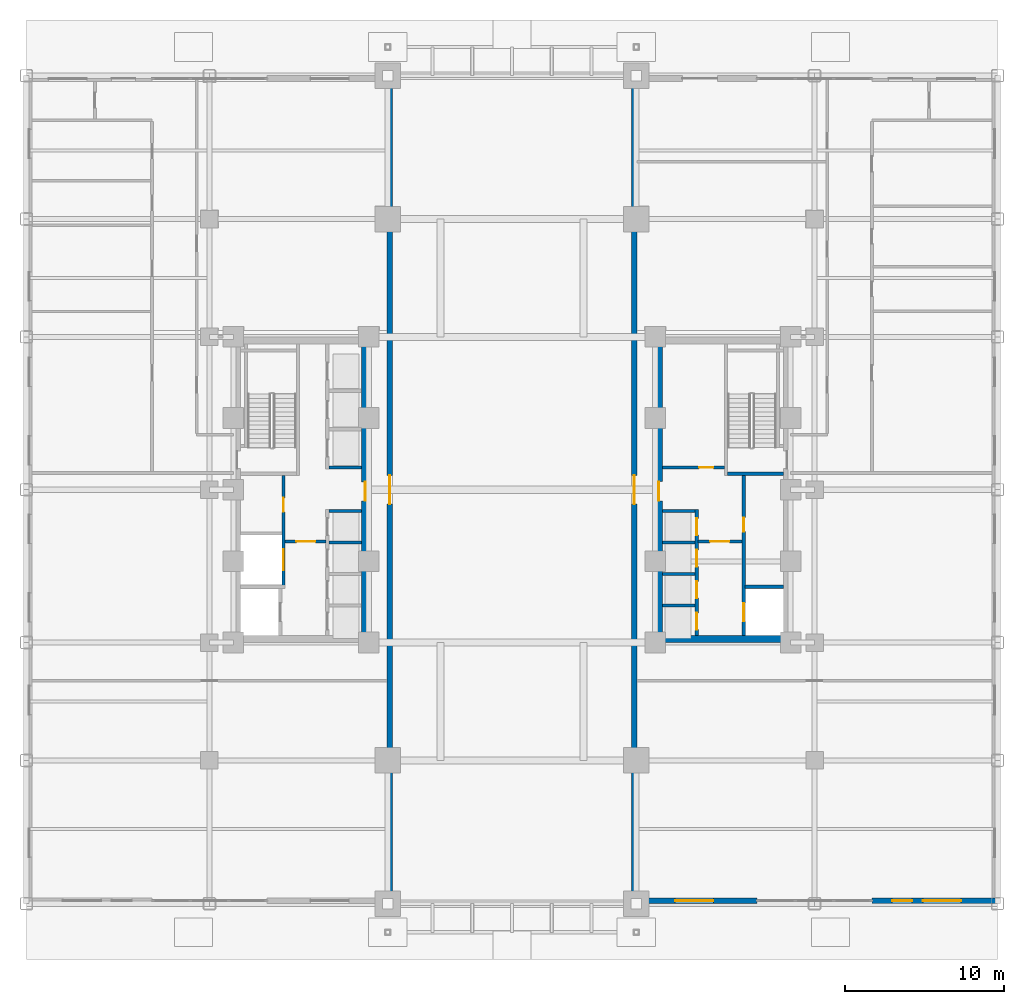
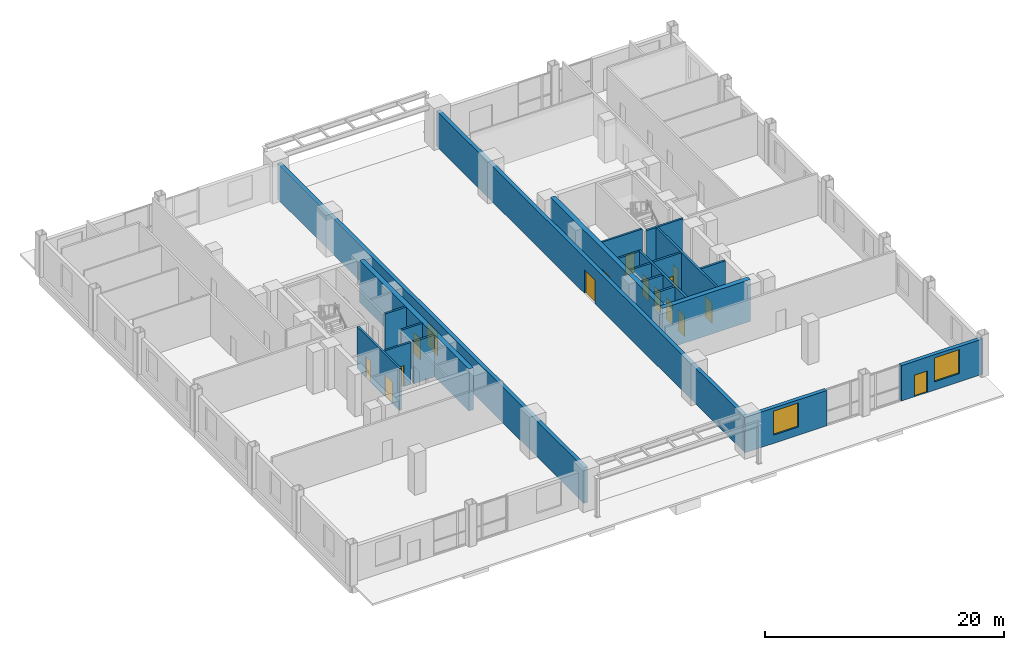
# One storey, part 9 of 20: 22 walls, 16 doors, 2 windows, 18 openings.
"""IFC4 building model written with IfcOpenShell, lengths in metres."""

from ifc_helpers import new_model, si_unit, direction, frame, frame_2d, origin, place, context, subcontext, project, spatial, rectangle, extrude, source, transform, mapped, material, layer, layer_set, type_object, type_shapes, element, fill, save


model = new_model("IFC4")

# Units and contexts
model_context = context("Model", 3, precision=1e-05, world=origin(), true_north=direction((0.0, 1.0)))
body_context = subcontext(model_context, "Body", "Model", "MODEL_VIEW")
ifc_project = project(units=[si_unit("LENGTHUNIT", "METRE"), si_unit("AREAUNIT", "SQUARE_METRE"), si_unit("VOLUMEUNIT", "CUBIC_METRE"), si_unit("PLANEANGLEUNIT", "RADIAN"), si_unit("MASSUNIT", "GRAM", prefix="KILO")], contexts=[model_context])

# Site, building, storey
site_placement = place(None, origin())
site = spatial("IfcSite", under=ifc_project, at=site_placement, CompositionType="ELEMENT")
building_placement = place(site_placement, origin())
building = spatial("IfcBuilding", under=site, at=building_placement, Name="Nuvemarco Arch Tower", CompositionType="ELEMENT")
storey_placement = place(building_placement, origin())
storey = spatial("IfcBuildingStorey", under=building, at=storey_placement, Name="L00", CompositionType="ELEMENT", Elevation=0.0)

# Wall, opening, door
ifc_material_1 = material(Name="Precast concrete C45/55", Category="concrete")
ifc_layer_1 = layer(ifc_material_1, 0.360107421875, Name="EW-POD-360")
ifc_layer_set_1 = layer_set([ifc_layer_1], Name="Precast concrete C45/55")
wall_type_1 = type_object("IfcWallType", Name="EW-POD-360", PredefinedType="STANDARD", material=ifc_layer_set_1)
wall_1_placement = place(storey_placement, frame((-7.679931640625, -25.64404296875, 0.0), z_axis=(0.0, 0.0, 1.0), x_axis=(0.0, 1.0, 0.0)))
wall_1 = element("IfcWall", 1, at=wall_1_placement, inside=storey, type_object=wall_type_1, Name="L00 exterior precast facade wall 2", PredefinedType="STANDARD", context=body_context, shape_type="SweptSolid", body=[
    extrude(rectangle(XDim=51.2880859375, YDim=0.360107421875, at=frame_2d((25.64404296875, 0.0))), origin(), (0.0, 0.0, 1.0), 3.64892578125),
])
opening_1_placement = place(wall_1_placement, frame((26.5439453125, 0.0, 0.0), z_axis=(0.0, 0.0, 1.0), x_axis=(-1.0, 0.0, 0.0)))
opening_1 = element("IfcOpeningElement", 2, at=opening_1_placement, cuts=wall_1, Name="Opening ED-1", PredefinedType="OPENING", context=body_context, shape_type="SweptSolid", body=[
    extrude(rectangle(XDim=1.800048828125, YDim=2.39990234375, at=frame_2d((0.89990234375, 1.199951171875))), frame((0.0, 0.18994140625, 0.0), z_axis=(0.0, -1.0, 0.0), x_axis=(1.0, 0.0, 0.0)), (0.0, 0.0, 1.0), 0.380126953125),
])
ifc_material_2 = material(Name="Anodised bronze and laminated glass", Category="glass")
door_type_1 = type_object("IfcDoorType", Name="DR-EXT-LOBBY", OperationType="DOUBLE_DOOR_SINGLE_SWING", PredefinedType="DOOR", material=ifc_material_2)
shared_shape_1 = source(origin(), body_context, "Body", "SweptSolid", [
    extrude(rectangle(XDim=1.800048828125, YDim=2.39990234375, at=frame_2d((0.89990234375, 1.199951171875))), frame((0.0, 0.02490234375, 0.0), z_axis=(0.0, -1.0, 0.0), x_axis=(1.0, 0.0, 0.0)), (0.0, 0.0, 1.0), 0.050048828125),
])
type_shapes(door_type_1, [shared_shape_1])
door_1_placement = place(opening_1_placement, origin())
door_1 = element("IfcDoor", 3, at=door_1_placement, inside=storey, type_object=door_type_1, Name="L00 Giant Arch main lobby entrance door 1", OperationType="DOUBLE_DOOR_SINGLE_SWING", OverallHeight=2.39990234375, OverallWidth=1.800048828125, PredefinedType="DOOR", context=body_context, shape_type="MappedRepresentation", body=[
    mapped(shared_shape_1, transform((0.0, 0.0, 0.0), scale=1.0)),
])
fill(opening_1, door_1)

# Wall, opening, window
wall_2_placement = place(storey_placement, frame((7.5, -25.820068359375, 0.0), z_axis=(0.0, 0.0, 1.0), x_axis=(1.0, 0.0, 0.0)))
wall_2 = element("IfcWall", 4, at=wall_2_placement, inside=storey, type_object=wall_type_1, Name="L00 exterior precast pier wall south left", PredefinedType="STANDARD", context=body_context, shape_type="SweptSolid", body=[
    extrude(rectangle(XDim=7.89990234375, YDim=0.360107421875, at=frame_2d((3.949951171875, 0.0))), origin(), (0.0, 0.0, 1.0), 3.614990234375),
])
opening_2_placement = place(wall_2_placement, frame((2.75, 0.0, 0.85009765625)))
opening_2 = element("IfcOpeningElement", 5, at=opening_2_placement, cuts=wall_2, Name="Opening WN-1", PredefinedType="OPENING", context=body_context, shape_type="SweptSolid", body=[
    extrude(rectangle(XDim=2.39990234375, YDim=2.449951171875, at=frame_2d((1.199951171875, 1.22509765625))), frame((0.0, 0.18994140625, 0.0), z_axis=(0.0, -1.0, 0.0), x_axis=(1.0, 0.0, 0.0)), (0.0, 0.0, 1.0), 0.380126953125),
])
ifc_material_3 = material(Name="Insulated solar-control glass", Category="glass")
window_type = type_object("IfcWindowType", Name="WN-POD-2400x2450", PartitioningType="DOUBLE_PANEL_VERTICAL", PredefinedType="WINDOW", material=ifc_material_3)
shared_shape_2 = source(origin(), body_context, "Body", "SweptSolid", [
    extrude(rectangle(XDim=2.39990234375, YDim=2.449951171875, at=frame_2d((1.199951171875, 1.22509765625))), frame((0.0, 0.030029296875, 0.0), z_axis=(0.0, -1.0, 0.0), x_axis=(1.0, 0.0, 0.0)), (0.0, 0.0, 1.0), 0.06005859375),
])
type_shapes(window_type, [shared_shape_2])
window_1_placement = place(opening_2_placement, origin())
window_1 = element("IfcWindow", 6, at=window_1_placement, inside=storey, type_object=window_type, Name="L00 punched facade window 1", OverallHeight=2.449951171875, OverallWidth=2.39990234375, PartitioningType="SINGLE_PANEL", PredefinedType="WINDOW", context=body_context, shape_type="MappedRepresentation", body=[
    mapped(shared_shape_2, transform((0.0, 0.0, 0.0), scale=1.0)),
])
fill(opening_2, window_1)

# Wall, openings, door, window
wall_3_placement = place(storey_placement, frame((22.60009765625, -25.820068359375, 0.0), z_axis=(0.0, 0.0, 1.0), x_axis=(1.0, 0.0, 0.0)))
wall_3 = element("IfcWall", 7, at=wall_3_placement, inside=storey, type_object=wall_type_1, Name="L00 exterior precast pier wall south right", PredefinedType="STANDARD", context=body_context, shape_type="SweptSolid", body=[
    extrude(rectangle(XDim=7.89990234375, YDim=0.360107421875, at=frame_2d((3.949951171875, 0.0))), origin(), (0.0, 0.0, 1.0), 3.614990234375),
])
opening_3_placement = place(wall_3_placement, frame((2.52490234375, 0.0, 0.0), z_axis=(0.0, 0.0, 1.0), x_axis=(-1.0, 0.0, 0.0)))
opening_3 = element("IfcOpeningElement", 8, at=opening_3_placement, cuts=wall_3, Name="Opening ED-3", PredefinedType="OPENING", context=body_context, shape_type="SweptSolid", body=[
    extrude(rectangle(XDim=1.25, YDim=2.199951171875, at=frame_2d((0.625, 1.10009765625))), frame((0.0, 0.18994140625, 0.0), z_axis=(0.0, -1.0, 0.0), x_axis=(1.0, 0.0, 0.0)), (0.0, 0.0, 1.0), 0.380126953125),
])
opening_4_placement = place(wall_3_placement, frame((3.199951171875, 0.0, 0.85009765625)))
opening_4 = element("IfcOpeningElement", 9, at=opening_4_placement, cuts=wall_3, Name="Opening WN-1", PredefinedType="OPENING", context=body_context, shape_type="SweptSolid", body=[
    extrude(rectangle(XDim=2.39990234375, YDim=2.449951171875, at=frame_2d((1.199951171875, 1.22509765625))), frame((0.0, 0.18994140625, 0.0), z_axis=(0.0, -1.0, 0.0), x_axis=(1.0, 0.0, 0.0)), (0.0, 0.0, 1.0), 0.380126953125),
])
door_type_2 = type_object("IfcDoorType", Name="DR-EXT-RETAIL", OperationType="NOTDEFINED", PredefinedType="DOOR", material=ifc_material_2)
shared_shape_3 = source(origin(), body_context, "Body", "SweptSolid", [
    extrude(rectangle(XDim=1.25, YDim=2.199951171875, at=frame_2d((0.625, 1.10009765625))), frame((0.0, 0.02490234375, 0.0), z_axis=(0.0, -1.0, 0.0), x_axis=(1.0, 0.0, 0.0)), (0.0, 0.0, 1.0), 0.050048828125),
])
type_shapes(door_type_2, [shared_shape_3])
door_2_placement = place(opening_3_placement, origin())
door_2 = element("IfcDoor", 10, at=door_2_placement, inside=storey, type_object=door_type_2, Name="Ground plaza retail entrance door 2", OperationType="SINGLE_SWING_RIGHT", OverallHeight=2.199951171875, OverallWidth=1.25, PredefinedType="DOOR", context=body_context, shape_type="MappedRepresentation", body=[
    mapped(shared_shape_3, transform((0.0, 0.0, 0.0), scale=1.0)),
])
fill(opening_3, door_2)
window_2_placement = place(opening_4_placement, origin())
window_2 = element("IfcWindow", 11, at=window_2_placement, inside=storey, type_object=window_type, Name="L00 punched facade window 1", OverallHeight=2.449951171875, OverallWidth=2.39990234375, PartitioningType="SINGLE_PANEL", PredefinedType="WINDOW", context=body_context, shape_type="MappedRepresentation", body=[
    mapped(shared_shape_2, transform((0.0, 0.0, 0.0), scale=1.0)),
])
fill(opening_4, window_2)

# Wall, opening, door
wall_4_placement = place(storey_placement, frame((7.679931640625, -25.64404296875, 0.0), z_axis=(0.0, 0.0, 1.0), x_axis=(0.0, 1.0, 0.0)))
wall_4 = element("IfcWall", 12, at=wall_4_placement, inside=storey, type_object=wall_type_1, Name="L00 exterior precast facade wall 4", PredefinedType="STANDARD", context=body_context, shape_type="SweptSolid", body=[
    extrude(rectangle(XDim=51.2880859375, YDim=0.360107421875, at=frame_2d((25.64404296875, 0.0))), origin(), (0.0, 0.0, 1.0), 3.64892578125),
])
opening_5_placement = place(wall_4_placement, frame((24.743896484375, 0.0, 0.0)))
opening_5 = element("IfcOpeningElement", 13, at=opening_5_placement, cuts=wall_4, Name="Opening ED-1", PredefinedType="OPENING", context=body_context, shape_type="SweptSolid", body=[
    extrude(rectangle(XDim=1.800048828125, YDim=2.39990234375, at=frame_2d((0.89990234375, 1.199951171875))), frame((0.0, 0.18994140625, 0.0), z_axis=(0.0, -1.0, 0.0), x_axis=(1.0, 0.0, 0.0)), (0.0, 0.0, 1.0), 0.380126953125),
])
door_3_placement = place(opening_5_placement, origin())
door_3 = element("IfcDoor", 14, at=door_3_placement, inside=storey, type_object=door_type_1, Name="L00 Giant Arch main lobby entrance door 2", OperationType="DOUBLE_DOOR_SINGLE_SWING", OverallHeight=2.39990234375, OverallWidth=1.800048828125, PredefinedType="DOOR", context=body_context, shape_type="MappedRepresentation", body=[
    mapped(shared_shape_1, transform((0.0, 0.0, 0.0), scale=1.0)),
])
fill(opening_5, door_3)

ifc_material_4 = material(Name="Concrete C60/75", Category="concrete")
ifc_layer_2 = layer(ifc_material_4, 0.449951171875, Name="WL-CORE-450")
ifc_layer_set_2 = layer_set([ifc_layer_2], Name="Concrete C60/75")
wall_type_2 = type_object("IfcWallType", Name="WL-CORE-450", PredefinedType="SHEAR", material=ifc_layer_set_2)
wall_5_placement = place(storey_placement, frame((-9.22509765625, -9.155029296875, 0.0), z_axis=(0.0, 0.0, 1.0), x_axis=(0.0, 1.0, 0.0)))
wall_5 = element("IfcWall", 15, at=wall_5_placement, inside=storey, type_object=wall_type_2, Name="L00 W-core shear wall E", PredefinedType="SHEAR", context=body_context, shape_type="SweptSolid", body=[
    extrude(rectangle(XDim=18.31005859375, YDim=0.449951171875, at=frame_2d((9.155029296875, 0.0))), origin(), (0.0, 0.0, 1.0), 4.280029296875),
])
opening_6_placement = place(wall_5_placement, frame((9.655029296875, 0.0, 0.0), z_axis=(0.0, 0.0, 1.0), x_axis=(-1.0, 0.0, 0.0)))
opening_6 = element("IfcOpeningElement", 16, at=opening_6_placement, cuts=wall_5, Name="Opening FD-2", PredefinedType="OPENING", context=body_context, shape_type="SweptSolid", body=[
    extrude(rectangle(XDim=1.199951171875, YDim=2.14990234375, at=frame_2d((0.60009765625, 1.074951171875))), frame((0.0, 0.23486328125, 0.0), z_axis=(0.0, -1.0, 0.0), x_axis=(1.0, 0.0, 0.0)), (0.0, 0.0, 1.0), 0.469970703125),
])
ifc_material_5 = material(Name="Anodised steel fire door", Category="steel")
door_type_3 = type_object("IfcDoorType", Name="DR-FFLOB-FD", OperationType="NOTDEFINED", PredefinedType="DOOR", material=ifc_material_5)
shared_shape_4 = source(origin(), body_context, "Body", "SweptSolid", [
    extrude(rectangle(XDim=1.199951171875, YDim=2.14990234375, at=frame_2d((0.60009765625, 1.074951171875))), frame((0.0, 0.02490234375, 0.0), z_axis=(0.0, -1.0, 0.0), x_axis=(1.0, 0.0, 0.0)), (0.0, 0.0, 1.0), 0.050048828125),
])
type_shapes(door_type_3, [shared_shape_4])
door_4_placement = place(opening_6_placement, origin())
door_4 = element("IfcDoor", 17, at=door_4_placement, inside=storey, type_object=door_type_3, Name="L00 door FD-L00-WLOB-OUT", OperationType="SINGLE_SWING_RIGHT", OverallHeight=2.14990234375, OverallWidth=1.199951171875, PredefinedType="DOOR", context=body_context, shape_type="MappedRepresentation", body=[
    mapped(shared_shape_4, transform((0.0, 0.0, 0.0), scale=1.0)),
])
fill(opening_6, door_4)

# Wall
wall_6_placement = place(storey_placement, frame((9.0, -9.375, 0.0), z_axis=(0.0, 0.0, 1.0), x_axis=(1.0, 0.0, 0.0)))
element("IfcWall", 18, at=wall_6_placement, inside=storey, type_object=wall_type_2, Name="L00 E-core shear wall S", PredefinedType="SHEAR", context=body_context, shape_type="SweptSolid", body=[
    extrude(rectangle(XDim=8.5, YDim=0.449951171875, at=frame_2d((4.25, 0.0))), origin(), (0.0, 0.0, 1.0), 4.280029296875),
])

# Wall, opening, door
wall_7_placement = place(storey_placement, frame((9.22509765625, -9.155029296875, 0.0), z_axis=(0.0, 0.0, 1.0), x_axis=(0.0, 1.0, 0.0)))
wall_7 = element("IfcWall", 19, at=wall_7_placement, inside=storey, type_object=wall_type_2, Name="L00 E-core shear wall W", PredefinedType="SHEAR", context=body_context, shape_type="SweptSolid", body=[
    extrude(rectangle(XDim=18.31005859375, YDim=0.449951171875, at=frame_2d((9.155029296875, 0.0))), origin(), (0.0, 0.0, 1.0), 4.280029296875),
])
opening_7_placement = place(wall_7_placement, frame((8.455078125, 0.0, 0.0)))
opening_7 = element("IfcOpeningElement", 20, at=opening_7_placement, cuts=wall_7, Name="Opening FD-2", PredefinedType="OPENING", context=body_context, shape_type="SweptSolid", body=[
    extrude(rectangle(XDim=1.199951171875, YDim=2.14990234375, at=frame_2d((0.60009765625, 1.074951171875))), frame((0.0, 0.23486328125, 0.0), z_axis=(0.0, -1.0, 0.0), x_axis=(1.0, 0.0, 0.0)), (0.0, 0.0, 1.0), 0.469970703125),
])
door_5_placement = place(opening_7_placement, origin())
door_5 = element("IfcDoor", 21, at=door_5_placement, inside=storey, type_object=door_type_3, Name="L00 door FD-L00-ELOB-OUT", OperationType="SINGLE_SWING_LEFT", OverallHeight=2.14990234375, OverallWidth=1.199951171875, PredefinedType="DOOR", context=body_context, shape_type="MappedRepresentation", body=[
    mapped(shared_shape_4, transform((0.0, 0.0, 0.0), scale=1.0)),
])
fill(opening_7, door_5)

ifc_material_6 = material(Name="Fire-rated gypsum drywall partition")
ifc_layer_3 = layer(ifc_material_6, 0.179931640625, Name="WL-CORR-180")
ifc_layer_set_3 = layer_set([ifc_layer_3], Name="Fire-rated gypsum drywall partition")
wall_type_3 = type_object("IfcWallType", Name="WL-CORR-180", PredefinedType="PARTITIONING", material=ifc_layer_set_3)
wall_8_placement = place(storey_placement, frame((9.445068359375, 1.39990234375, 0.0), z_axis=(0.0, 0.0, 1.0), x_axis=(1.0, 0.0, 0.0)))
wall_8 = element("IfcWall", 22, at=wall_8_placement, inside=storey, type_object=wall_type_3, Name="L00 interior wall IW-L00-EK-S", PredefinedType="PARTITIONING", context=body_context, shape_type="SweptSolid", body=[
    extrude(rectangle(XDim=3.89990234375, YDim=0.179931640625, at=frame_2d((1.949951171875, 0.0))), origin(), (0.0, 0.0, 1.0), 4.27001953125),
])
opening_8_placement = place(wall_8_placement, frame((2.31494140625, 0.0, 0.0)))
opening_8 = element("IfcOpeningElement", 23, at=opening_8_placement, cuts=wall_8, Name="Opening FD-4", PredefinedType="OPENING", context=body_context, shape_type="SweptSolid", body=[
    extrude(rectangle(XDim=0.8798828125, YDim=2.10009765625, at=frame_2d((0.43994140625, 1.050048828125))), frame((0.0, 0.099853515625, 0.0), z_axis=(0.0, -1.0, 0.0), x_axis=(1.0, 0.0, 0.0)), (0.0, 0.0, 1.0), 0.199951171875),
])
door_type_4 = type_object("IfcDoorType", Name="DR-RISER-FD", OperationType="NOTDEFINED", PredefinedType="DOOR", material=ifc_material_5)
shared_shape_5 = source(origin(), body_context, "Body", "SweptSolid", [
    extrude(rectangle(XDim=0.8798828125, YDim=2.10009765625, at=frame_2d((0.43994140625, 1.050048828125))), frame((0.0, 0.02490234375, 0.0), z_axis=(0.0, -1.0, 0.0), x_axis=(1.0, 0.0, 0.0)), (0.0, 0.0, 1.0), 0.050048828125),
])
type_shapes(door_type_4, [shared_shape_5])
door_6_placement = place(opening_8_placement, origin())
door_6 = element("IfcDoor", 24, at=door_6_placement, inside=storey, type_object=door_type_4, Name="L00 door FD-L00-EK1A", OperationType="SINGLE_SWING_RIGHT", OverallHeight=2.10009765625, OverallWidth=0.8798828125, PredefinedType="DOOR", context=body_context, shape_type="MappedRepresentation", body=[
    mapped(shared_shape_5, transform((0.0, 0.0, 0.0), scale=1.0)),
])
fill(opening_8, door_6)

# Wall, openings, doors
ifc_material_7 = material(Name="Concrete C50/60", Category="concrete")
ifc_layer_4 = layer(ifc_material_7, 0.199951171875, Name="WL-SHAFT-220")
ifc_layer_set_4 = layer_set([ifc_layer_4], Name="Concrete C50/60")
wall_type_4 = type_object("IfcWallType", Name="WL-SHAFT-220", PredefinedType="SHEAR", material=ifc_layer_set_4)
wall_9_placement = place(storey_placement, frame((-14.35009765625, -6.199951171875, 0.0), z_axis=(0.0, 0.0, 1.0), x_axis=(0.0, 1.0, 0.0)))
wall_9 = element("IfcWall", 25, at=wall_9_placement, inside=storey, type_object=wall_type_4, Name="L00 structural shaft wall SW-L00-W-SVE", PredefinedType="SHEAR", context=body_context, shape_type="SweptSolid", body=[
    extrude(rectangle(XDim=7.10498046875, YDim=0.199951171875, at=frame_2d((3.552490234375, 0.0))), origin(), (0.0, 0.0, 1.0), 4.280029296875),
])
opening_9_placement = place(wall_9_placement, frame((5.68994140625, 0.0, 0.0), z_axis=(0.0, 0.0, 1.0), x_axis=(-1.0, 0.0, 0.0)))
opening_9 = element("IfcOpeningElement", 26, at=opening_9_placement, cuts=wall_9, Name="Opening FD-4", PredefinedType="OPENING", context=body_context, shape_type="SweptSolid", body=[
    extrude(rectangle(XDim=0.8798828125, YDim=2.10009765625, at=frame_2d((0.43994140625, 1.050048828125))), frame((0.0, 0.10986328125, 0.0), z_axis=(0.0, -1.0, 0.0), x_axis=(1.0, 0.0, 0.0)), (0.0, 0.0, 1.0), 0.219970703125),
])
opening_10_placement = place(wall_9_placement, frame((1.14990234375, 0.0, 0.0)))
opening_10 = element("IfcOpeningElement", 27, at=opening_10_placement, cuts=wall_9, Name="Opening LD-3", PredefinedType="OPENING", context=body_context, shape_type="SweptSolid", body=[
    extrude(rectangle(XDim=1.300048828125, YDim=2.199951171875, at=frame_2d((0.64990234375, 1.10009765625))), frame((0.0, 0.10986328125, 0.0), z_axis=(0.0, -1.0, 0.0), x_axis=(1.0, 0.0, 0.0)), (0.0, 0.0, 1.0), 0.219970703125),
])
door_7_placement = place(opening_9_placement, origin())
door_7 = element("IfcDoor", 28, at=door_7_placement, inside=storey, type_object=door_type_4, Name="L00 door FD-L00-WRIS", OperationType="SINGLE_SWING_RIGHT", OverallHeight=2.10009765625, OverallWidth=0.8798828125, PredefinedType="DOOR", context=body_context, shape_type="MappedRepresentation", body=[
    mapped(shared_shape_5, transform((0.0, 0.0, 0.0), scale=1.0)),
])
fill(opening_9, door_7)
ifc_material_8 = material(Name="Stainless steel lift door", Category="steel")
door_type_5 = type_object("IfcDoorType", Name="DR-LIFT-SERV", OperationType="DOUBLE_DOOR_SLIDING", PredefinedType="DOOR", material=ifc_material_8)
shared_shape_6 = source(origin(), body_context, "Body", "SweptSolid", [
    extrude(rectangle(XDim=1.300048828125, YDim=2.199951171875, at=frame_2d((0.64990234375, 1.10009765625))), frame((0.0, 0.02490234375, 0.0), z_axis=(0.0, -1.0, 0.0), x_axis=(1.0, 0.0, 0.0)), (0.0, 0.0, 1.0), 0.050048828125),
])
type_shapes(door_type_5, [shared_shape_6])
door_8_placement = place(opening_10_placement, origin())
door_8 = element("IfcDoor", 29, at=door_8_placement, inside=storey, type_object=door_type_5, Name="L00 Lift landing sliding door SVL-1", OperationType="DOUBLE_DOOR_SLIDING", OverallHeight=2.199951171875, OverallWidth=1.300048828125, PredefinedType="DOOR", context=body_context, shape_type="MappedRepresentation", body=[
    mapped(shared_shape_6, transform((0.0, 0.0, 0.0), scale=1.0)),
])
fill(opening_10, door_8)

# Wall, opening, door
wall_10_placement = place(storey_placement, frame((-14.2548828125, -3.25, 0.0), z_axis=(0.0, 0.0, 1.0), x_axis=(1.0, 0.0, 0.0)))
wall_10 = element("IfcWall", 30, at=wall_10_placement, inside=storey, type_object=wall_type_4, Name="L00 structural shaft wall SW-L00-W-FFN", PredefinedType="SHEAR", context=body_context, shape_type="SweptSolid", body=[
    extrude(rectangle(XDim=2.559814453125, YDim=0.199951171875, at=frame_2d((1.27978515625, 0.0))), origin(), (0.0, 0.0, 1.0), 4.280029296875),
])
opening_11_placement = place(wall_10_placement, frame((0.705078125, 0.0, 0.0)))
opening_11 = element("IfcOpeningElement", 31, at=opening_11_placement, cuts=wall_10, Name="Opening FD-2", PredefinedType="OPENING", context=body_context, shape_type="SweptSolid", body=[
    extrude(rectangle(XDim=1.199951171875, YDim=2.14990234375, at=frame_2d((0.60009765625, 1.074951171875))), frame((0.0, 0.10986328125, 0.0), z_axis=(0.0, -1.0, 0.0), x_axis=(1.0, 0.0, 0.0)), (0.0, 0.0, 1.0), 0.219970703125),
])
door_9_placement = place(opening_11_placement, origin())
door_9 = element("IfcDoor", 32, at=door_9_placement, inside=storey, type_object=door_type_3, Name="L00 door FD-L00-WFF1", OperationType="SINGLE_SWING_RIGHT", OverallHeight=2.14990234375, OverallWidth=1.199951171875, PredefinedType="DOOR", context=body_context, shape_type="MappedRepresentation", body=[
    mapped(shared_shape_4, transform((0.0, 0.0, 0.0), scale=1.0)),
])
fill(opening_11, door_9)

# Walls
for number, where, z_axis, x_axis, name in (
    (33, (-11.5048828125, -3.31005859375, 0.0), (0.0, 0.0, 1.0), (1.0, 0.0, 0.0), "L00 structural shaft wall SW-L00-W-PLD3"),
    (34, (-11.5048828125, -1.330078125, 0.0), (0.0, 0.0, 1.0), (1.0, 0.0, 0.0), "L00 structural shaft wall SW-L00-W-PLD4"),
    (35, (-11.5048828125, 1.39990234375, 0.0), (0.0, 0.0, 1.0), (1.0, 0.0, 0.0), "L00 structural shaft wall SW-L00-W-PHD1"),
):
    element("IfcWall", number, at=place(storey_placement, frame(where, z_axis=z_axis, x_axis=x_axis)), inside=storey, type_object=wall_type_4, Name=name, PredefinedType="SHEAR", context=body_context, shape_type="SweptSolid", body=[
        extrude(rectangle(XDim=2.059814453125, YDim=0.199951171875, at=frame_2d((1.02978515625, 0.0))), origin(), (0.0, 0.0, 1.0), 4.280029296875),
    ])
wall_11_placement = place(storey_placement, frame((13.534912109375, 1.0, 0.0), z_axis=(0.0, 0.0, 1.0), x_axis=(1.0, 0.0, 0.0)))
element("IfcWall", 36, at=wall_11_placement, inside=storey, type_object=wall_type_4, Name="L00 structural shaft wall SW-L00-E-ST2S", PredefinedType="SHEAR", context=body_context, shape_type="SweptSolid", body=[
    extrude(rectangle(XDim=3.52001953125, YDim=0.199951171875, at=frame_2d((1.760009765625, 0.0))), origin(), (0.0, 0.0, 1.0), 4.280029296875),
])

# Wall, openings, doors
wall_12_placement = place(storey_placement, frame((14.550048828125, -9.155029296875, 0.0), z_axis=(0.0, 0.0, 1.0), x_axis=(0.0, 1.0, 0.0)))
wall_12 = element("IfcWall", 37, at=wall_12_placement, inside=storey, type_object=wall_type_4, Name="L00 structural shaft wall SW-L00-E-SHW", PredefinedType="SHEAR", context=body_context, shape_type="SweptSolid", body=[
    extrude(rectangle(XDim=10.06005859375, YDim=0.199951171875, at=frame_2d((5.030029296875, 0.0))), origin(), (0.0, 0.0, 1.0), 4.280029296875),
])
opening_12_placement = place(wall_12_placement, frame((6.514892578125, 0.0, 0.0)))
opening_12 = element("IfcOpeningElement", 38, at=opening_12_placement, cuts=wall_12, Name="Opening FD-4", PredefinedType="OPENING", context=body_context, shape_type="SweptSolid", body=[
    extrude(rectangle(XDim=0.8798828125, YDim=2.10009765625, at=frame_2d((0.43994140625, 1.050048828125))), frame((0.0, 0.10986328125, 0.0), z_axis=(0.0, -1.0, 0.0), x_axis=(1.0, 0.0, 0.0)), (0.0, 0.0, 1.0), 0.219970703125),
])
opening_13_placement = place(wall_12_placement, frame((0.8798828125, 0.0, 0.0)))
opening_13 = element("IfcOpeningElement", 39, at=opening_13_placement, cuts=wall_12, Name="Opening LD-2", PredefinedType="OPENING", context=body_context, shape_type="SweptSolid", body=[
    extrude(rectangle(XDim=1.14990234375, YDim=2.14990234375, at=frame_2d((0.574951171875, 1.074951171875))), frame((0.0, 0.10986328125, 0.0), z_axis=(0.0, -1.0, 0.0), x_axis=(1.0, 0.0, 0.0)), (0.0, 0.0, 1.0), 0.219970703125),
])
door_10_placement = place(opening_12_placement, origin())
door_10 = element("IfcDoor", 40, at=door_10_placement, inside=storey, type_object=door_type_4, Name="L00 door FD-L00-ERIS", OperationType="SINGLE_SWING_LEFT", OverallHeight=2.10009765625, OverallWidth=0.8798828125, PredefinedType="DOOR", context=body_context, shape_type="MappedRepresentation", body=[
    mapped(shared_shape_5, transform((0.0, 0.0, 0.0), scale=1.0)),
])
fill(opening_12, door_10)
door_type_6 = type_object("IfcDoorType", Name="DR-LIFT-FIRE", OperationType="DOUBLE_DOOR_SLIDING", PredefinedType="DOOR", material=ifc_material_8)
shared_shape_7 = source(origin(), body_context, "Body", "SweptSolid", [
    extrude(rectangle(XDim=1.14990234375, YDim=2.14990234375, at=frame_2d((0.574951171875, 1.074951171875))), frame((0.0, 0.02490234375, 0.0), z_axis=(0.0, -1.0, 0.0), x_axis=(1.0, 0.0, 0.0)), (0.0, 0.0, 1.0), 0.050048828125),
])
type_shapes(door_type_6, [shared_shape_7])
door_11_placement = place(opening_13_placement, origin())
door_11 = element("IfcDoor", 41, at=door_11_placement, inside=storey, type_object=door_type_6, Name="L00 Lift landing sliding door FFL-2", OperationType="DOUBLE_DOOR_SLIDING", OverallHeight=2.14990234375, OverallWidth=1.14990234375, PredefinedType="DOOR", context=body_context, shape_type="MappedRepresentation", body=[
    mapped(shared_shape_7, transform((0.0, 0.0, 0.0), scale=1.0)),
])
fill(opening_13, door_11)

# Wall
wall_13_placement = place(storey_placement, frame((14.64501953125, -6.10009765625, 0.0), z_axis=(0.0, 0.0, 1.0), x_axis=(1.0, 0.0, 0.0)))
element("IfcWall", 42, at=wall_13_placement, inside=storey, type_object=wall_type_4, Name="L00 structural shaft wall SW-L00-E-SH1", PredefinedType="SHEAR", context=body_context, shape_type="SweptSolid", body=[
    extrude(rectangle(XDim=2.409912109375, YDim=0.199951171875, at=frame_2d((1.205078125, 0.0))), origin(), (0.0, 0.0, 1.0), 4.280029296875),
])

# Wall, openings, doors
wall_14_placement = place(storey_placement, frame((11.60009765625, -9.155029296875, 0.0), z_axis=(0.0, 0.0, 1.0), x_axis=(0.0, 1.0, 0.0)))
wall_14 = element("IfcWall", 43, at=wall_14_placement, inside=storey, type_object=wall_type_4, Name="L00 structural shaft wall SW-L00-E-PME", PredefinedType="SHEAR", context=body_context, shape_type="SweptSolid", body=[
    extrude(rectangle(XDim=7.925048828125, YDim=0.199951171875, at=frame_2d((3.96240234375, 0.0))), origin(), (0.0, 0.0, 1.0), 4.280029296875),
])
opening_14_placement = place(wall_14_placement, frame((0.3701171875, 0.0, 0.0)))
opening_14 = element("IfcOpeningElement", 44, at=opening_14_placement, cuts=wall_14, Name="Opening LD-1", PredefinedType="OPENING", context=body_context, shape_type="SweptSolid", body=[
    extrude(rectangle(XDim=1.050048828125, YDim=2.14990234375, at=frame_2d((0.52490234375, 1.074951171875))), frame((0.0, 0.10986328125, 0.0), z_axis=(0.0, -1.0, 0.0), x_axis=(1.0, 0.0, 0.0)), (0.0, 0.0, 1.0), 0.219970703125),
])
opening_15_placement = place(wall_14_placement, frame((2.35009765625, 0.0, 0.0)))
opening_15 = element("IfcOpeningElement", 45, at=opening_15_placement, cuts=wall_14, Name="Opening LD-1", PredefinedType="OPENING", context=body_context, shape_type="SweptSolid", body=[
    extrude(rectangle(XDim=1.050048828125, YDim=2.14990234375, at=frame_2d((0.52490234375, 1.074951171875))), frame((0.0, 0.10986328125, 0.0), z_axis=(0.0, -1.0, 0.0), x_axis=(1.0, 0.0, 0.0)), (0.0, 0.0, 1.0), 0.219970703125),
])
opening_16_placement = place(wall_14_placement, frame((4.330078125, 0.0, 0.0)))
opening_16 = element("IfcOpeningElement", 46, at=opening_16_placement, cuts=wall_14, Name="Opening LD-1", PredefinedType="OPENING", context=body_context, shape_type="SweptSolid", body=[
    extrude(rectangle(XDim=1.050048828125, YDim=2.14990234375, at=frame_2d((0.52490234375, 1.074951171875))), frame((0.0, 0.10986328125, 0.0), z_axis=(0.0, -1.0, 0.0), x_axis=(1.0, 0.0, 0.0)), (0.0, 0.0, 1.0), 0.219970703125),
])
opening_17_placement = place(wall_14_placement, frame((6.31005859375, 0.0, 0.0)))
opening_17 = element("IfcOpeningElement", 47, at=opening_17_placement, cuts=wall_14, Name="Opening LD-1", PredefinedType="OPENING", context=body_context, shape_type="SweptSolid", body=[
    extrude(rectangle(XDim=1.050048828125, YDim=2.14990234375, at=frame_2d((0.52490234375, 1.074951171875))), frame((0.0, 0.10986328125, 0.0), z_axis=(0.0, -1.0, 0.0), x_axis=(1.0, 0.0, 0.0)), (0.0, 0.0, 1.0), 0.219970703125),
])
door_type_7 = type_object("IfcDoorType", Name="DR-LIFT-PASS", OperationType="DOUBLE_DOOR_SLIDING", PredefinedType="DOOR", material=ifc_material_8)
shared_shape_8 = source(origin(), body_context, "Body", "SweptSolid", [
    extrude(rectangle(XDim=1.050048828125, YDim=2.14990234375, at=frame_2d((0.52490234375, 1.074951171875))), frame((0.0, 0.02490234375, 0.0), z_axis=(0.0, -1.0, 0.0), x_axis=(1.0, 0.0, 0.0)), (0.0, 0.0, 1.0), 0.050048828125),
])
type_shapes(door_type_7, [shared_shape_8])
door_12_placement = place(opening_14_placement, origin())
door_12 = element("IfcDoor", 48, at=door_12_placement, inside=storey, type_object=door_type_7, Name="L00 Lift landing sliding door PM-1", OperationType="DOUBLE_DOOR_SLIDING", OverallHeight=2.14990234375, OverallWidth=1.050048828125, PredefinedType="DOOR", context=body_context, shape_type="MappedRepresentation", body=[
    mapped(shared_shape_8, transform((0.0, 0.0, 0.0), scale=1.0)),
])
fill(opening_14, door_12)
door_13_placement = place(opening_15_placement, origin())
door_13 = element("IfcDoor", 49, at=door_13_placement, inside=storey, type_object=door_type_7, Name="L00 Lift landing sliding door PM-2", OperationType="DOUBLE_DOOR_SLIDING", OverallHeight=2.14990234375, OverallWidth=1.050048828125, PredefinedType="DOOR", context=body_context, shape_type="MappedRepresentation", body=[
    mapped(shared_shape_8, transform((0.0, 0.0, 0.0), scale=1.0)),
])
fill(opening_15, door_13)
door_14_placement = place(opening_16_placement, origin())
door_14 = element("IfcDoor", 50, at=door_14_placement, inside=storey, type_object=door_type_7, Name="L00 Lift landing sliding door PM-3", OperationType="DOUBLE_DOOR_SLIDING", OverallHeight=2.14990234375, OverallWidth=1.050048828125, PredefinedType="DOOR", context=body_context, shape_type="MappedRepresentation", body=[
    mapped(shared_shape_8, transform((0.0, 0.0, 0.0), scale=1.0)),
])
fill(opening_16, door_14)
door_15_placement = place(opening_17_placement, origin())
door_15 = element("IfcDoor", 51, at=door_15_placement, inside=storey, type_object=door_type_7, Name="L00 Lift landing sliding door PM-4", OperationType="DOUBLE_DOOR_SLIDING", OverallHeight=2.14990234375, OverallWidth=1.050048828125, PredefinedType="DOOR", context=body_context, shape_type="MappedRepresentation", body=[
    mapped(shared_shape_8, transform((0.0, 0.0, 0.0), scale=1.0)),
])
fill(opening_17, door_15)

# Wall, opening, door
wall_15_placement = place(storey_placement, frame((11.695068359375, -3.25, 0.0), z_axis=(0.0, 0.0, 1.0), x_axis=(1.0, 0.0, 0.0)))
wall_15 = element("IfcWall", 52, at=wall_15_placement, inside=storey, type_object=wall_type_4, Name="L00 structural shaft wall SW-L00-E-FFN", PredefinedType="SHEAR", context=body_context, shape_type="SweptSolid", body=[
    extrude(rectangle(XDim=2.760009765625, YDim=0.199951171875, at=frame_2d((1.3798828125, 0.0))), origin(), (0.0, 0.0, 1.0), 4.280029296875),
])
opening_18_placement = place(wall_15_placement, frame((0.7548828125, 0.0, 0.0)))
opening_18 = element("IfcOpeningElement", 53, at=opening_18_placement, cuts=wall_15, Name="Opening FD-2", PredefinedType="OPENING", context=body_context, shape_type="SweptSolid", body=[
    extrude(rectangle(XDim=1.199951171875, YDim=2.14990234375, at=frame_2d((0.60009765625, 1.074951171875))), frame((0.0, 0.10986328125, 0.0), z_axis=(0.0, -1.0, 0.0), x_axis=(1.0, 0.0, 0.0)), (0.0, 0.0, 1.0), 0.219970703125),
])
door_16_placement = place(opening_18_placement, origin())
door_16 = element("IfcDoor", 54, at=door_16_placement, inside=storey, type_object=door_type_3, Name="L00 door FD-L00-EFF2", OperationType="SINGLE_SWING_LEFT", OverallHeight=2.14990234375, OverallWidth=1.199951171875, PredefinedType="DOOR", context=body_context, shape_type="MappedRepresentation", body=[
    mapped(shared_shape_4, transform((0.0, 0.0, 0.0), scale=1.0)),
])
fill(opening_18, door_16)

# Walls
for number, where, z_axis, x_axis, name in (
    (55, (9.445068359375, -7.27001953125, 0.0), (0.0, 0.0, 1.0), (1.0, 0.0, 0.0), "L00 structural shaft wall SW-L00-E-PMD1"),
    (56, (9.445068359375, -5.2900390625, 0.0), (0.0, 0.0, 1.0), (1.0, 0.0, 0.0), "L00 structural shaft wall SW-L00-E-PMD2"),
    (57, (9.445068359375, -3.31005859375, 0.0), (0.0, 0.0, 1.0), (1.0, 0.0, 0.0), "L00 structural shaft wall SW-L00-E-PMD3"),
    (58, (9.445068359375, -1.330078125, 0.0), (0.0, 0.0, 1.0), (1.0, 0.0, 0.0), "L00 structural shaft wall SW-L00-E-PMD4"),
):
    element("IfcWall", number, at=place(storey_placement, frame(where, z_axis=z_axis, x_axis=x_axis)), inside=storey, type_object=wall_type_4, Name=name, PredefinedType="SHEAR", context=body_context, shape_type="SweptSolid", body=[
        extrude(rectangle(XDim=2.059814453125, YDim=0.199951171875, at=frame_2d((1.02978515625, 0.0))), origin(), (0.0, 0.0, 1.0), 4.280029296875),
    ])

save(model, "model.ifc")
